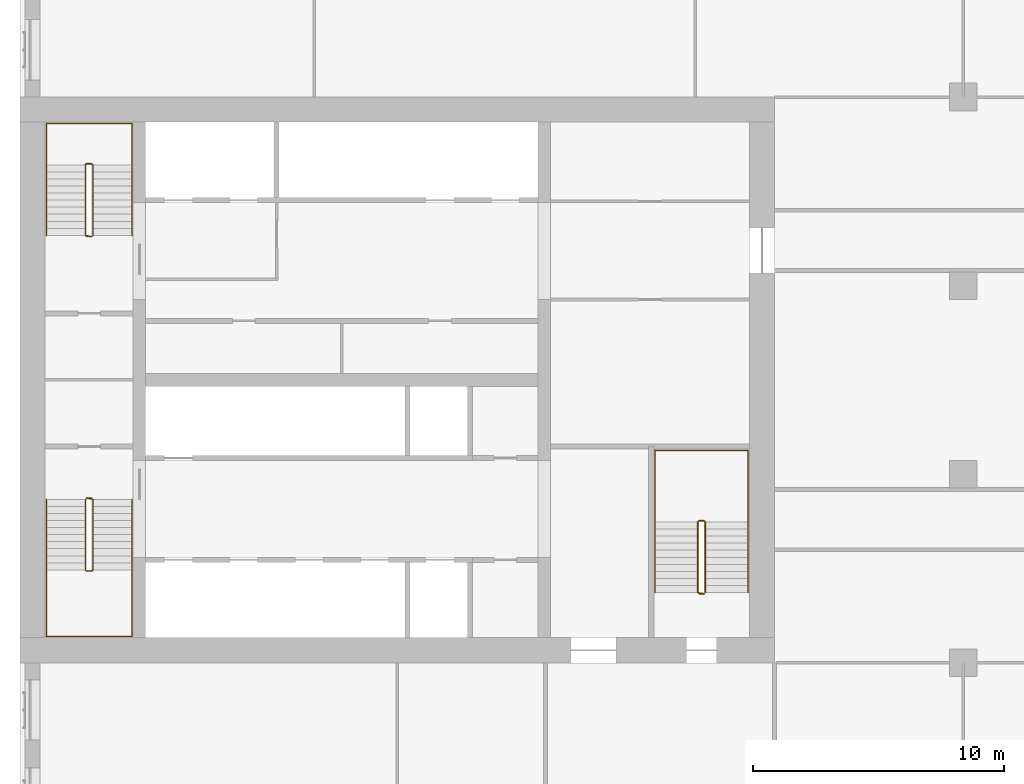
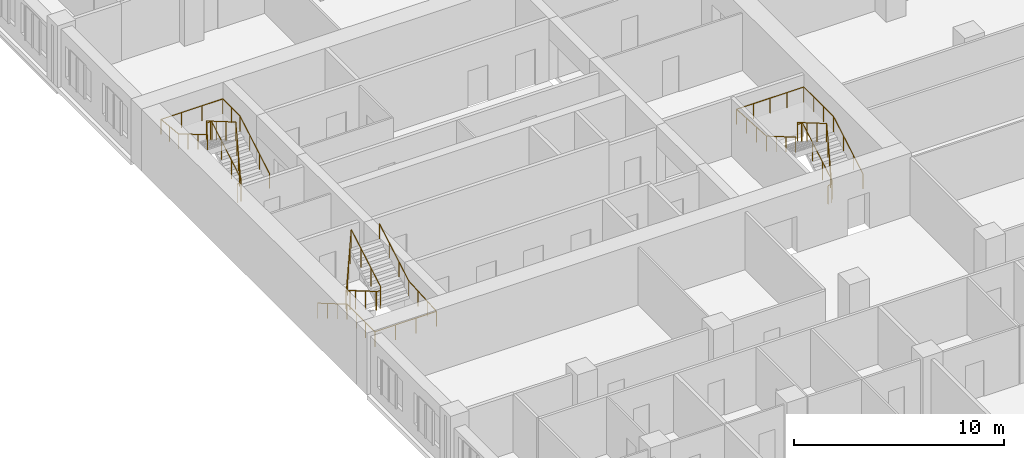
# One storey, part 14 of 14: 6 railings.
"""IFC4 building model written with IfcOpenShell, lengths in metres."""

from ifc_helpers import new_model, si_unit, direction, frame, origin, origin_2d, place, context, subcontext, project, spatial, circle, extrude, material, type_object, element, save


model = new_model("IFC4")

# Units and contexts
model_context = context("Model", 3, precision=1e-05, world=origin(), true_north=direction((0.0, 1.0)))
body_context = subcontext(model_context, "Body", "Model", "MODEL_VIEW")
ifc_project = project(units=[si_unit("LENGTHUNIT", "METRE"), si_unit("AREAUNIT", "SQUARE_METRE"), si_unit("VOLUMEUNIT", "CUBIC_METRE"), si_unit("PLANEANGLEUNIT", "RADIAN"), si_unit("MASSUNIT", "GRAM", prefix="KILO")], contexts=[model_context])

# Site, building, storey
site_placement = place(None, origin())
site = spatial("IfcSite", under=ifc_project, at=site_placement, CompositionType="ELEMENT")
building_placement = place(site_placement, origin())
building = spatial("IfcBuilding", under=site, at=building_placement, Name="Tamorin Gate", CompositionType="ELEMENT")
storey_placement = place(building_placement, frame((0.0, 0.0, 107.89990234375)))
storey = spatial("IfcBuildingStorey", under=building, at=storey_placement, Name="L26", CompositionType="ELEMENT", Elevation=107.89990234375)

# Railings
ifc_material_1 = material(Name="Painted steel balustrade", Category="steel")
railing_type_1 = type_object("IfcRailingType", Name="Stair guard 1100", PredefinedType="GUARDRAIL", material=ifc_material_1)
railing_1_placement = place(storey_placement, frame((32.60009765625, 66.5, 0.163818359375)))
element("IfcRailing", 1, at=railing_1_placement, inside=storey, type_object=railing_type_1, Name="L26 ST1 stair guard 1", PredefinedType="GUARDRAIL", context=body_context, shape_type="SweptSolid", body=[
    extrude(circle(Radius=0.02392578125, at=origin_2d()), frame((0.0, 0.0, 1.076171875), z_axis=(0.0, -0.863393664356, 0.504530851732), x_axis=(1.0, 0.0, 0.0)), (0.0, 0.0, 1.0), 3.2431640625),
    extrude(circle(Radius=0.02392578125, at=origin_2d()), frame((0.0, -2.800048828125, 2.71240234375), z_axis=(0.705375805398, -0.708833529934, 0.0), x_axis=(0.708833529934, 0.705375805398, 0.0)), (0.0, 0.0, 1.0), 0.070556640625),
    extrude(circle(Radius=0.02392578125, at=origin_2d()), frame((0.0498046875, -2.85009765625, 2.71240234375), z_axis=(1.0, 0.0, 0.0), x_axis=(0.0, 1.0, 0.0)), (0.0, 0.0, 1.0), 0.2001953125),
    extrude(circle(Radius=0.02392578125, at=origin_2d()), frame((0.25, -2.85009765625, 2.71240234375), z_axis=(0.279546231943, 0.280916556609, 0.91811752648), x_axis=(-0.708833529934, 0.705375805398, 0.0)), (0.0, 0.0, 1.0), 0.17822265625),
    extrude(circle(Radius=0.02392578125, at=origin_2d()), frame((0.2998046875, -2.800048828125, 2.8759765625), z_axis=(0.0, 0.863360870873, 0.504586966384), x_axis=(-1.0, 0.0, 0.0)), (0.0, 0.0, 1.0), 3.2431640625),
    extrude(circle(Radius=0.02392578125, at=origin_2d()), frame((0.2998046875, 0.0, 4.51220703125), z_axis=(-0.069269067181, 0.013867342551, -0.997501625634), x_axis=(-0.196300278283, -0.98054382908, 0.0)), (0.0, 0.0, 1.0), 3.609130859375),
    extrude(circle(Radius=0.02392578125, at=origin_2d()), frame((0.0498046875, 0.050048828125, 0.912109375), z_axis=(1.0, 0.0, 0.0), x_axis=(0.0, 1.0, 0.0)), (0.0, 0.0, 1.0), 0.2001953125),
    extrude(circle(Radius=0.02099609375, at=origin_2d()), origin(), (0.0, 0.0, 1.0), 1.052001953125),
    extrude(circle(Radius=0.02099609375, at=origin_2d()), frame((0.0, -0.933349609375, 0.54541015625)), (0.0, 0.0, 1.0), 1.052001953125),
    extrude(circle(Radius=0.02099609375, at=origin_2d()), frame((0.0, -1.86669921875, 1.0908203125)), (0.0, 0.0, 1.0), 1.052001953125),
    extrude(circle(Radius=0.02099609375, at=origin_2d()), frame((0.0, -2.800048828125, 1.63623046875)), (0.0, 0.0, 1.0), 1.052001953125),
    extrude(circle(Radius=0.02099609375, at=origin_2d()), frame((0.0498046875, -2.85009765625, 1.63623046875)), (0.0, 0.0, 1.0), 1.052001953125),
    extrude(circle(Radius=0.02099609375, at=origin_2d()), frame((0.25, -2.85009765625, 1.63623046875)), (0.0, 0.0, 1.0), 1.052001953125),
    extrude(circle(Radius=0.02099609375, at=origin_2d()), frame((0.2998046875, -2.800048828125, 1.7998046875)), (0.0, 0.0, 1.0), 1.052001953125),
    extrude(circle(Radius=0.02099609375, at=origin_2d()), frame((0.2998046875, -1.86669921875, 2.34521484375)), (0.0, 0.0, 1.0), 1.052001953125),
    extrude(circle(Radius=0.02099609375, at=origin_2d()), frame((0.2998046875, -0.933349609375, 2.890869140625)), (0.0, 0.0, 1.0), 1.052001953125),
    extrude(circle(Radius=0.02099609375, at=origin_2d()), frame((0.2998046875, 0.0, 3.436279296875)), (0.0, 0.0, 1.0), 1.052001953125),
    extrude(circle(Radius=0.02099609375, at=origin_2d()), frame((0.2373046875, 0.012451171875, 2.5361328125)), (0.0, 0.0, 1.0), 1.052001953125),
    extrude(circle(Radius=0.02099609375, at=origin_2d()), frame((0.1748046875, 0.02490234375, 1.63623046875)), (0.0, 0.0, 1.0), 1.052001953125),
    extrude(circle(Radius=0.02099609375, at=origin_2d()), frame((0.1123046875, 0.03759765625, 0.736328125)), (0.0, 0.0, 1.0), 1.052001953125),
    extrude(circle(Radius=0.02099609375, at=origin_2d()), frame((0.0498046875, 0.050048828125, -0.163818359375)), (0.0, 0.0, 1.0), 1.052001953125),
    extrude(circle(Radius=0.02099609375, at=origin_2d()), frame((0.25, 0.050048828125, -0.163818359375)), (0.0, 0.0, 1.0), 1.052001953125),
])
railing_2_placement = place(storey_placement, frame((32.89990234375, 77.0, 0.163818359375)))
element("IfcRailing", 2, at=railing_2_placement, inside=storey, type_object=railing_type_1, Name="L26 ST2 stair guard 1", PredefinedType="GUARDRAIL", context=body_context, shape_type="SweptSolid", body=[
    extrude(circle(Radius=0.02392578125, at=origin_2d()), frame((0.0, 0.0, 1.076171875), z_axis=(0.0, 0.863393664356, 0.504530851732), x_axis=(-1.0, 0.0, 0.0)), (0.0, 0.0, 1.0), 3.2431640625),
    extrude(circle(Radius=0.02392578125, at=origin_2d()), frame((0.0, 2.800048828125, 2.71240234375), z_axis=(-0.705375805398, 0.708833529934, 0.0), x_axis=(-0.708833529934, -0.705375805398, 0.0)), (0.0, 0.0, 1.0), 0.070556640625),
    extrude(circle(Radius=0.02392578125, at=origin_2d()), frame((-0.0498046875, 2.85009765625, 2.71240234375), z_axis=(-1.0, 0.0, 0.0), x_axis=(0.0, -1.0, 0.0)), (0.0, 0.0, 1.0), 0.2001953125),
    extrude(circle(Radius=0.02392578125, at=origin_2d()), frame((-0.25, 2.85009765625, 2.71240234375), z_axis=(-0.279546231943, -0.280916556609, 0.91811752648), x_axis=(0.708833529934, -0.705375805398, 0.0)), (0.0, 0.0, 1.0), 0.17822265625),
    extrude(circle(Radius=0.02392578125, at=origin_2d()), frame((-0.2998046875, 2.800048828125, 2.8759765625), z_axis=(0.0, -0.863360870873, 0.504586966384), x_axis=(1.0, 0.0, 0.0)), (0.0, 0.0, 1.0), 3.2431640625),
    extrude(circle(Radius=0.02392578125, at=origin_2d()), frame((-0.2998046875, 0.0, 4.51220703125), z_axis=(0.069269067181, -0.013867342551, -0.997501625634), x_axis=(0.196300278283, 0.98054382908, 0.0)), (0.0, 0.0, 1.0), 3.609130859375),
    extrude(circle(Radius=0.02392578125, at=origin_2d()), frame((-0.0498046875, -0.050048828125, 0.912109375), z_axis=(-1.0, 0.0, 0.0), x_axis=(0.0, -1.0, 0.0)), (0.0, 0.0, 1.0), 0.2001953125),
    extrude(circle(Radius=0.02099609375, at=origin_2d()), origin(), (0.0, 0.0, 1.0), 1.052001953125),
    extrude(circle(Radius=0.02099609375, at=origin_2d()), frame((0.0, 0.933349609375, 0.54541015625)), (0.0, 0.0, 1.0), 1.052001953125),
    extrude(circle(Radius=0.02099609375, at=origin_2d()), frame((0.0, 1.86669921875, 1.0908203125)), (0.0, 0.0, 1.0), 1.052001953125),
    extrude(circle(Radius=0.02099609375, at=origin_2d()), frame((0.0, 2.800048828125, 1.63623046875)), (0.0, 0.0, 1.0), 1.052001953125),
    extrude(circle(Radius=0.02099609375, at=origin_2d()), frame((-0.0498046875, 2.85009765625, 1.63623046875)), (0.0, 0.0, 1.0), 1.052001953125),
    extrude(circle(Radius=0.02099609375, at=origin_2d()), frame((-0.25, 2.85009765625, 1.63623046875)), (0.0, 0.0, 1.0), 1.052001953125),
    extrude(circle(Radius=0.02099609375, at=origin_2d()), frame((-0.2998046875, 2.800048828125, 1.7998046875)), (0.0, 0.0, 1.0), 1.052001953125),
    extrude(circle(Radius=0.02099609375, at=origin_2d()), frame((-0.2998046875, 1.86669921875, 2.34521484375)), (0.0, 0.0, 1.0), 1.052001953125),
    extrude(circle(Radius=0.02099609375, at=origin_2d()), frame((-0.2998046875, 0.933349609375, 2.890869140625)), (0.0, 0.0, 1.0), 1.052001953125),
    extrude(circle(Radius=0.02099609375, at=origin_2d()), frame((-0.2998046875, 0.0, 3.436279296875)), (0.0, 0.0, 1.0), 1.052001953125),
    extrude(circle(Radius=0.02099609375, at=origin_2d()), frame((-0.2373046875, -0.012451171875, 2.5361328125)), (0.0, 0.0, 1.0), 1.052001953125),
    extrude(circle(Radius=0.02099609375, at=origin_2d()), frame((-0.1748046875, -0.02490234375, 1.63623046875)), (0.0, 0.0, 1.0), 1.052001953125),
    extrude(circle(Radius=0.02099609375, at=origin_2d()), frame((-0.1123046875, -0.03759765625, 0.736328125)), (0.0, 0.0, 1.0), 1.052001953125),
    extrude(circle(Radius=0.02099609375, at=origin_2d()), frame((-0.0498046875, -0.050048828125, -0.163818359375)), (0.0, 0.0, 1.0), 1.052001953125),
    extrude(circle(Radius=0.02099609375, at=origin_2d()), frame((-0.25, -0.050048828125, -0.163818359375)), (0.0, 0.0, 1.0), 1.052001953125),
])
railing_3_placement = place(storey_placement, frame((57.25, 62.800048828125, 0.163818359375)))
element("IfcRailing", 3, at=railing_3_placement, inside=storey, type_object=railing_type_1, Name="L26 ST3 stair guard 1", PredefinedType="GUARDRAIL", context=body_context, shape_type="SweptSolid", body=[
    extrude(circle(Radius=0.02392578125, at=origin_2d()), frame((0.0, 0.0, 1.076171875), z_axis=(0.0, 0.863393664356, 0.504530851732), x_axis=(-1.0, 0.0, 0.0)), (0.0, 0.0, 1.0), 3.2431640625),
    extrude(circle(Radius=0.02392578125, at=origin_2d()), frame((0.0, 2.800048828125, 2.71240234375), z_axis=(-0.708833529934, 0.705375805398, 0.0), x_axis=(-0.705375805398, -0.708833529934, 0.0)), (0.0, 0.0, 1.0), 0.070556640625),
    extrude(circle(Radius=0.02392578125, at=origin_2d()), frame((-0.050048828125, 2.849853515625, 2.71240234375), z_axis=(-1.0, 0.0, 0.0), x_axis=(0.0, -1.0, 0.0)), (0.0, 0.0, 1.0), 0.199951171875),
    extrude(circle(Radius=0.02392578125, at=origin_2d()), frame((-0.25, 2.849853515625, 2.71240234375), z_axis=(-0.280916556609, -0.279546231943, 0.91811752648), x_axis=(0.705375805398, -0.708833529934, 0.0)), (0.0, 0.0, 1.0), 0.17822265625),
    extrude(circle(Radius=0.02392578125, at=origin_2d()), frame((-0.300048828125, 2.800048828125, 2.8759765625), z_axis=(0.0, -0.863360870873, 0.504586966384), x_axis=(1.0, 0.0, 0.0)), (0.0, 0.0, 1.0), 3.2431640625),
    extrude(circle(Radius=0.02392578125, at=origin_2d()), frame((-0.300048828125, 0.0, 4.51220703125), z_axis=(0.069269067181, -0.013867342551, -0.997501625634), x_axis=(0.196300278283, 0.98054382908, 0.0)), (0.0, 0.0, 1.0), 3.609130859375),
    extrude(circle(Radius=0.02392578125, at=origin_2d()), frame((-0.050048828125, -0.050048828125, 0.912109375), z_axis=(-1.0, 0.0, 0.0), x_axis=(0.0, -1.0, 0.0)), (0.0, 0.0, 1.0), 0.199951171875),
    extrude(circle(Radius=0.02099609375, at=origin_2d()), origin(), (0.0, 0.0, 1.0), 1.052001953125),
    extrude(circle(Radius=0.02099609375, at=origin_2d()), frame((0.0, 0.933349609375, 0.54541015625)), (0.0, 0.0, 1.0), 1.052001953125),
    extrude(circle(Radius=0.02099609375, at=origin_2d()), frame((0.0, 1.86669921875, 1.0908203125)), (0.0, 0.0, 1.0), 1.052001953125),
    extrude(circle(Radius=0.02099609375, at=origin_2d()), frame((0.0, 2.800048828125, 1.63623046875)), (0.0, 0.0, 1.0), 1.052001953125),
    extrude(circle(Radius=0.02099609375, at=origin_2d()), frame((-0.050048828125, 2.849853515625, 1.63623046875)), (0.0, 0.0, 1.0), 1.052001953125),
    extrude(circle(Radius=0.02099609375, at=origin_2d()), frame((-0.25, 2.849853515625, 1.63623046875)), (0.0, 0.0, 1.0), 1.052001953125),
    extrude(circle(Radius=0.02099609375, at=origin_2d()), frame((-0.300048828125, 2.800048828125, 1.7998046875)), (0.0, 0.0, 1.0), 1.052001953125),
    extrude(circle(Radius=0.02099609375, at=origin_2d()), frame((-0.300048828125, 1.86669921875, 2.34521484375)), (0.0, 0.0, 1.0), 1.052001953125),
    extrude(circle(Radius=0.02099609375, at=origin_2d()), frame((-0.300048828125, 0.933349609375, 2.890869140625)), (0.0, 0.0, 1.0), 1.052001953125),
    extrude(circle(Radius=0.02099609375, at=origin_2d()), frame((-0.300048828125, 0.0, 3.436279296875)), (0.0, 0.0, 1.0), 1.052001953125),
    extrude(circle(Radius=0.02099609375, at=origin_2d()), frame((-0.237548828125, -0.012451171875, 2.5361328125)), (0.0, 0.0, 1.0), 1.052001953125),
    extrude(circle(Radius=0.02099609375, at=origin_2d()), frame((-0.175048828125, -0.02490234375, 1.63623046875)), (0.0, 0.0, 1.0), 1.052001953125),
    extrude(circle(Radius=0.02099609375, at=origin_2d()), frame((-0.112548828125, -0.03759765625, 0.736328125)), (0.0, 0.0, 1.0), 1.052001953125),
    extrude(circle(Radius=0.02099609375, at=origin_2d()), frame((-0.050048828125, -0.050048828125, -0.163818359375)), (0.0, 0.0, 1.0), 1.052001953125),
    extrude(circle(Radius=0.02099609375, at=origin_2d()), frame((-0.25, -0.050048828125, -0.163818359375)), (0.0, 0.0, 1.0), 1.052001953125),
])
ifc_material_2 = material(Name="Painted steel handrail", Category="steel")
railing_type_2 = type_object("IfcRailingType", Name="Stair handrail 900", PredefinedType="HANDRAIL", material=ifc_material_2)
railing_4_placement = place(storey_placement, frame((31.050048828125, 66.5, 0.163818359375)))
element("IfcRailing", 4, at=railing_4_placement, inside=storey, type_object=railing_type_2, Name="L26 ST1 stair handrail 1", PredefinedType="HANDRAIL", context=body_context, shape_type="SweptSolid", body=[
    extrude(circle(Radius=0.02392578125, at=origin_2d()), frame((0.0, 0.0, 0.8759765625), z_axis=(0.0, -0.863393664356, 0.504530851732), x_axis=(1.0, 0.0, 0.0)), (0.0, 0.0, 1.0), 3.2431640625),
    extrude(circle(Radius=0.02392578125, at=origin_2d()), frame((0.0, -2.800048828125, 2.51220703125), z_axis=(0.0, -1.0, 0.0), x_axis=(1.0, 0.0, 0.0)), (0.0, 0.0, 1.0), 2.64990234375),
    extrude(circle(Radius=0.02392578125, at=origin_2d()), frame((0.0, -5.449951171875, 2.51220703125), z_axis=(1.0, 0.0, 0.0), x_axis=(0.0, 1.0, 0.0)), (0.0, 0.0, 1.0), 3.39990234375),
    extrude(circle(Radius=0.02392578125, at=origin_2d()), frame((3.39990234375, -5.449951171875, 2.51220703125), z_axis=(0.0, 0.998100230056, 0.061611125312), x_axis=(-1.0, 0.0, 0.0)), (0.0, 0.0, 1.0), 2.655029296875),
    extrude(circle(Radius=0.02392578125, at=origin_2d()), frame((3.39990234375, -2.800048828125, 2.67578125), z_axis=(0.0, 0.863360870873, 0.504586966384), x_axis=(-1.0, 0.0, 0.0)), (0.0, 0.0, 1.0), 3.2431640625),
    extrude(circle(Radius=0.02099609375, at=origin_2d()), origin(), (0.0, 0.0, 1.0), 0.851806640625),
    extrude(circle(Radius=0.02099609375, at=origin_2d()), frame((0.0, -0.933349609375, 0.54541015625)), (0.0, 0.0, 1.0), 0.851806640625),
    extrude(circle(Radius=0.02099609375, at=origin_2d()), frame((0.0, -1.86669921875, 1.0908203125)), (0.0, 0.0, 1.0), 0.851806640625),
    extrude(circle(Radius=0.02099609375, at=origin_2d()), frame((0.0, -2.800048828125, 1.63623046875)), (0.0, 0.0, 1.0), 0.851806640625),
    extrude(circle(Radius=0.02099609375, at=origin_2d()), frame((0.0, -3.683349609375, 1.63623046875)), (0.0, 0.0, 1.0), 0.851806640625),
    extrude(circle(Radius=0.02099609375, at=origin_2d()), frame((0.0, -4.566650390625, 1.63623046875)), (0.0, 0.0, 1.0), 0.851806640625),
    extrude(circle(Radius=0.02099609375, at=origin_2d()), frame((0.0, -5.449951171875, 1.63623046875)), (0.0, 0.0, 1.0), 0.851806640625),
    extrude(circle(Radius=0.02099609375, at=origin_2d()), frame((1.13330078125, -5.449951171875, 1.63623046875)), (0.0, 0.0, 1.0), 0.851806640625),
    extrude(circle(Radius=0.02099609375, at=origin_2d()), frame((2.2666015625, -5.449951171875, 1.63623046875)), (0.0, 0.0, 1.0), 0.851806640625),
    extrude(circle(Radius=0.02099609375, at=origin_2d()), frame((3.39990234375, -5.449951171875, 1.63623046875)), (0.0, 0.0, 1.0), 0.851806640625),
    extrude(circle(Radius=0.02099609375, at=origin_2d()), frame((3.39990234375, -4.566650390625, 1.690673828125)), (0.0, 0.0, 1.0), 0.851806640625),
    extrude(circle(Radius=0.02099609375, at=origin_2d()), frame((3.39990234375, -3.683349609375, 1.745361328125)), (0.0, 0.0, 1.0), 0.851806640625),
    extrude(circle(Radius=0.02099609375, at=origin_2d()), frame((3.39990234375, -2.800048828125, 1.7998046875)), (0.0, 0.0, 1.0), 0.851806640625),
    extrude(circle(Radius=0.02099609375, at=origin_2d()), frame((3.39990234375, -1.86669921875, 2.34521484375)), (0.0, 0.0, 1.0), 0.851806640625),
    extrude(circle(Radius=0.02099609375, at=origin_2d()), frame((3.39990234375, -0.933349609375, 2.890869140625)), (0.0, 0.0, 1.0), 0.851806640625),
    extrude(circle(Radius=0.02099609375, at=origin_2d()), frame((3.39990234375, 0.0, 3.436279296875)), (0.0, 0.0, 1.0), 0.851806640625),
])
railing_5_placement = place(storey_placement, frame((34.449951171875, 77.0, 0.163818359375)))
element("IfcRailing", 5, at=railing_5_placement, inside=storey, type_object=railing_type_2, Name="L26 ST2 stair handrail 1", PredefinedType="HANDRAIL", context=body_context, shape_type="SweptSolid", body=[
    extrude(circle(Radius=0.02392578125, at=origin_2d()), frame((0.0, 0.0, 0.8759765625), z_axis=(0.0, 0.863393664356, 0.504530851732), x_axis=(-1.0, 0.0, 0.0)), (0.0, 0.0, 1.0), 3.2431640625),
    extrude(circle(Radius=0.02392578125, at=origin_2d()), frame((0.0, 2.800048828125, 2.51220703125), z_axis=(0.0, 1.0, 0.0), x_axis=(-1.0, 0.0, 0.0)), (0.0, 0.0, 1.0), 1.64990234375),
    extrude(circle(Radius=0.02392578125, at=origin_2d()), frame((0.0, 4.449951171875, 2.51220703125), z_axis=(-1.0, 0.0, 0.0), x_axis=(0.0, -1.0, 0.0)), (0.0, 0.0, 1.0), 3.39990234375),
    extrude(circle(Radius=0.02392578125, at=origin_2d()), frame((-3.39990234375, 4.449951171875, 2.51220703125), z_axis=(0.0, -0.995121390814, 0.098658084026), x_axis=(1.0, 0.0, 0.0)), (0.0, 0.0, 1.0), 1.657958984375),
    extrude(circle(Radius=0.02392578125, at=origin_2d()), frame((-3.39990234375, 2.800048828125, 2.67578125), z_axis=(0.0, -0.863360870873, 0.504586966384), x_axis=(1.0, 0.0, 0.0)), (0.0, 0.0, 1.0), 3.2431640625),
    extrude(circle(Radius=0.02099609375, at=origin_2d()), origin(), (0.0, 0.0, 1.0), 0.851806640625),
    extrude(circle(Radius=0.02099609375, at=origin_2d()), frame((0.0, 0.933349609375, 0.54541015625)), (0.0, 0.0, 1.0), 0.851806640625),
    extrude(circle(Radius=0.02099609375, at=origin_2d()), frame((0.0, 1.86669921875, 1.0908203125)), (0.0, 0.0, 1.0), 0.851806640625),
    extrude(circle(Radius=0.02099609375, at=origin_2d()), frame((0.0, 2.800048828125, 1.63623046875)), (0.0, 0.0, 1.0), 0.851806640625),
    extrude(circle(Radius=0.02099609375, at=origin_2d()), frame((0.0, 3.625, 1.63623046875)), (0.0, 0.0, 1.0), 0.851806640625),
    extrude(circle(Radius=0.02099609375, at=origin_2d()), frame((0.0, 4.449951171875, 1.63623046875)), (0.0, 0.0, 1.0), 0.851806640625),
    extrude(circle(Radius=0.02099609375, at=origin_2d()), frame((-1.13330078125, 4.449951171875, 1.63623046875)), (0.0, 0.0, 1.0), 0.851806640625),
    extrude(circle(Radius=0.02099609375, at=origin_2d()), frame((-2.2666015625, 4.449951171875, 1.63623046875)), (0.0, 0.0, 1.0), 0.851806640625),
    extrude(circle(Radius=0.02099609375, at=origin_2d()), frame((-3.39990234375, 4.449951171875, 1.63623046875)), (0.0, 0.0, 1.0), 0.851806640625),
    extrude(circle(Radius=0.02099609375, at=origin_2d()), frame((-3.39990234375, 3.625, 1.718017578125)), (0.0, 0.0, 1.0), 0.851806640625),
    extrude(circle(Radius=0.02099609375, at=origin_2d()), frame((-3.39990234375, 2.800048828125, 1.7998046875)), (0.0, 0.0, 1.0), 0.851806640625),
    extrude(circle(Radius=0.02099609375, at=origin_2d()), frame((-3.39990234375, 1.86669921875, 2.34521484375)), (0.0, 0.0, 1.0), 0.851806640625),
    extrude(circle(Radius=0.02099609375, at=origin_2d()), frame((-3.39990234375, 0.933349609375, 2.890869140625)), (0.0, 0.0, 1.0), 0.851806640625),
    extrude(circle(Radius=0.02099609375, at=origin_2d()), frame((-3.39990234375, 0.0, 3.436279296875)), (0.0, 0.0, 1.0), 0.851806640625),
])
railing_6_placement = place(storey_placement, frame((58.949951171875, 62.800048828125, 0.163818359375)))
element("IfcRailing", 6, at=railing_6_placement, inside=storey, type_object=railing_type_2, Name="L26 ST3 stair handrail 1", PredefinedType="HANDRAIL", context=body_context, shape_type="SweptSolid", body=[
    extrude(circle(Radius=0.02392578125, at=origin_2d()), frame((0.0, 0.0, 0.8759765625), z_axis=(0.0, 0.863393664356, 0.504530851732), x_axis=(-1.0, 0.0, 0.0)), (0.0, 0.0, 1.0), 3.2431640625),
    extrude(circle(Radius=0.02392578125, at=origin_2d()), frame((0.0, 2.800048828125, 2.51220703125), z_axis=(0.0, 1.0, 0.0), x_axis=(-1.0, 0.0, 0.0)), (0.0, 0.0, 1.0), 2.849853515625),
    extrude(circle(Radius=0.02392578125, at=origin_2d()), frame((0.0, 5.64990234375, 2.51220703125), z_axis=(-1.0, 0.0, 0.0), x_axis=(0.0, -1.0, 0.0)), (0.0, 0.0, 1.0), 3.699951171875),
    extrude(circle(Radius=0.02392578125, at=origin_2d()), frame((-3.699951171875, 5.64990234375, 2.51220703125), z_axis=(0.0, -0.998356827416, 0.057303098978), x_axis=(1.0, 0.0, 0.0)), (0.0, 0.0, 1.0), 2.8544921875),
    extrude(circle(Radius=0.02392578125, at=origin_2d()), frame((-3.699951171875, 2.800048828125, 2.67578125), z_axis=(0.0, -0.863360870873, 0.504586966384), x_axis=(1.0, 0.0, 0.0)), (0.0, 0.0, 1.0), 3.2431640625),
    extrude(circle(Radius=0.02099609375, at=origin_2d()), origin(), (0.0, 0.0, 1.0), 0.851806640625),
    extrude(circle(Radius=0.02099609375, at=origin_2d()), frame((0.0, 0.933349609375, 0.54541015625)), (0.0, 0.0, 1.0), 0.851806640625),
    extrude(circle(Radius=0.02099609375, at=origin_2d()), frame((0.0, 1.86669921875, 1.0908203125)), (0.0, 0.0, 1.0), 0.851806640625),
    extrude(circle(Radius=0.02099609375, at=origin_2d()), frame((0.0, 2.800048828125, 1.63623046875)), (0.0, 0.0, 1.0), 0.851806640625),
    extrude(circle(Radius=0.02099609375, at=origin_2d()), frame((0.0, 3.75, 1.63623046875)), (0.0, 0.0, 1.0), 0.851806640625),
    extrude(circle(Radius=0.02099609375, at=origin_2d()), frame((0.0, 4.699951171875, 1.63623046875)), (0.0, 0.0, 1.0), 0.851806640625),
    extrude(circle(Radius=0.02099609375, at=origin_2d()), frame((0.0, 5.64990234375, 1.63623046875)), (0.0, 0.0, 1.0), 0.851806640625),
    extrude(circle(Radius=0.02099609375, at=origin_2d()), frame((-0.925048828125, 5.64990234375, 1.63623046875)), (0.0, 0.0, 1.0), 0.851806640625),
    extrude(circle(Radius=0.02099609375, at=origin_2d()), frame((-1.85009765625, 5.64990234375, 1.63623046875)), (0.0, 0.0, 1.0), 0.851806640625),
    extrude(circle(Radius=0.02099609375, at=origin_2d()), frame((-2.77490234375, 5.64990234375, 1.63623046875)), (0.0, 0.0, 1.0), 0.851806640625),
    extrude(circle(Radius=0.02099609375, at=origin_2d()), frame((-3.699951171875, 5.64990234375, 1.63623046875)), (0.0, 0.0, 1.0), 0.851806640625),
    extrude(circle(Radius=0.02099609375, at=origin_2d()), frame((-3.699951171875, 4.699951171875, 1.690673828125)), (0.0, 0.0, 1.0), 0.851806640625),
    extrude(circle(Radius=0.02099609375, at=origin_2d()), frame((-3.699951171875, 3.75, 1.745361328125)), (0.0, 0.0, 1.0), 0.851806640625),
    extrude(circle(Radius=0.02099609375, at=origin_2d()), frame((-3.699951171875, 2.800048828125, 1.7998046875)), (0.0, 0.0, 1.0), 0.851806640625),
    extrude(circle(Radius=0.02099609375, at=origin_2d()), frame((-3.699951171875, 1.86669921875, 2.34521484375)), (0.0, 0.0, 1.0), 0.851806640625),
    extrude(circle(Radius=0.02099609375, at=origin_2d()), frame((-3.699951171875, 0.933349609375, 2.890869140625)), (0.0, 0.0, 1.0), 0.851806640625),
    extrude(circle(Radius=0.02099609375, at=origin_2d()), frame((-3.699951171875, 0.0, 3.436279296875)), (0.0, 0.0, 1.0), 0.851806640625),
])

save(model, "model.ifc")
